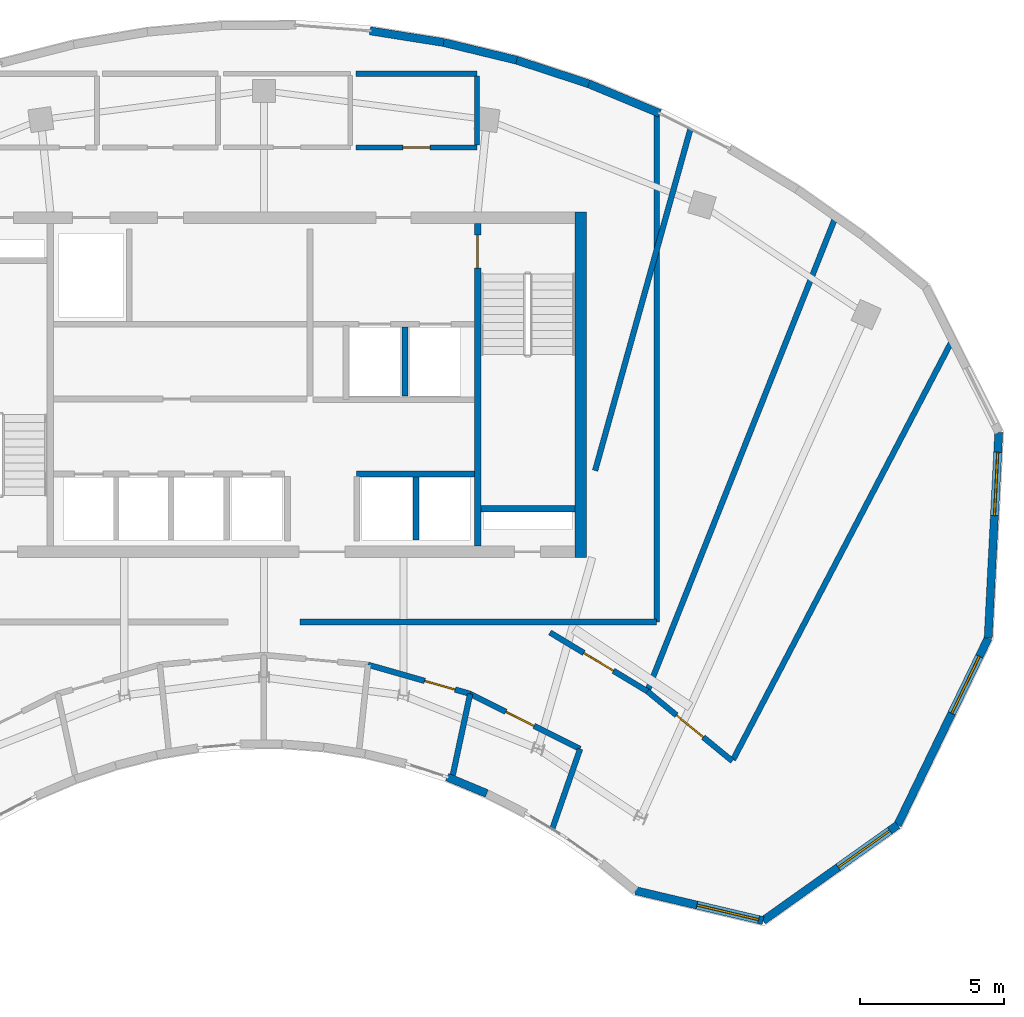
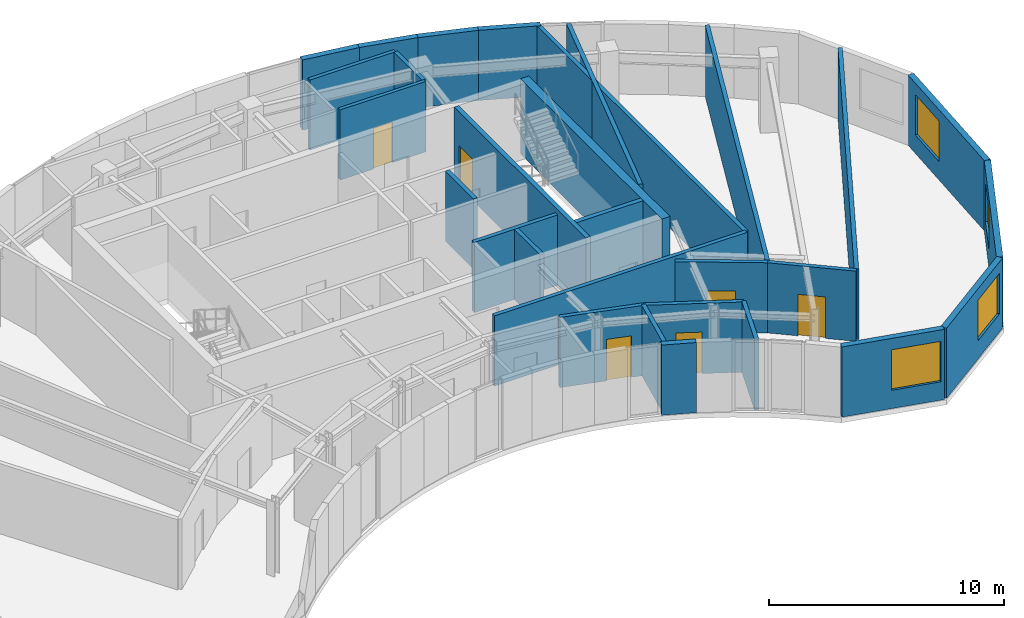
# One storey, part 7 of 9: 29 walls, 6 doors, 4 windows, 10 openings.
"""IFC4 building model written with IfcOpenShell, lengths in metres."""

from ifc_helpers import new_model, si_unit, direction, frame, frame_2d, origin, place, context, subcontext, project, spatial, rectangle, extrude, source, transform, mapped, material, layer, layer_set, type_object, type_shapes, element, fill, save


model = new_model("IFC4")

# Units and contexts
model_context = context("Model", 3, precision=1e-05, world=origin(), true_north=direction((0.0, 1.0)))
body_context = subcontext(model_context, "Body", "Model", "MODEL_VIEW")
ifc_project = project(units=[si_unit("LENGTHUNIT", "METRE"), si_unit("AREAUNIT", "SQUARE_METRE"), si_unit("VOLUMEUNIT", "CUBIC_METRE"), si_unit("PLANEANGLEUNIT", "RADIAN"), si_unit("MASSUNIT", "GRAM", prefix="KILO")], contexts=[model_context])

# Site, building, storey
site_placement = place(None, origin())
site = spatial("IfcSite", under=ifc_project, at=site_placement, CompositionType="ELEMENT")
building_placement = place(site_placement, origin())
building = spatial("IfcBuilding", under=site, at=building_placement, Name="Breltana Convention Tower", CompositionType="ELEMENT")
storey_placement = place(building_placement, frame((0.0, 0.0, 287.39990234375)))
storey = spatial("IfcBuildingStorey", under=building, at=storey_placement, Name="L70", CompositionType="ELEMENT", Elevation=287.39990234375)

# Walls
ifc_material_1 = material(Name="Concrete C50/60", Category="concrete")
ifc_layer_1 = layer(ifc_material_1, 0.39990234375, Name="Concrete C50/60")
ifc_layer_set_1 = layer_set([ifc_layer_1], Name="Concrete C50/60")
wall_type_1 = type_object("IfcWallType", Name="SW-CORE-400", PredefinedType="SHEAR", material=ifc_layer_set_1)
shared_shape_1 = source(origin(), body_context, "Body", "SweptSolid", [
    extrude(rectangle(XDim=3.27001953125, YDim=0.219970703125, at=frame_2d((1.635009765625, 0.0))), origin(), (0.0, 0.0, 1.0), 3.900146484375),
])
wall_1_placement = place(storey_placement, frame((55.530029296875, 61.889892578125, 0.0), z_axis=(0.0, 0.0, 1.0), x_axis=(1.0, 0.0, 0.0)))
element("IfcWall", 1, at=wall_1_placement, inside=storey, type_object=wall_type_1, Name="L70 ST-2 Stairwell South Bearing Wall", PredefinedType="SHEAR", context=body_context, shape_type="MappedRepresentation", body=[
    mapped(shared_shape_1, transform((0.0, 0.0, 0.0), scale=1.0)),
])
shared_shape_2 = source(origin(), body_context, "Body", "SweptSolid", [
    extrude(rectangle(XDim=12.0, YDim=0.39990234375, at=frame_2d((6.0, 0.0))), origin(), (0.0, 0.0, 1.0), 3.900146484375),
])
wall_2_placement = place(storey_placement, frame((59.0, 60.199951171875, 0.0), z_axis=(0.0, 0.0, 1.0), x_axis=(0.0, 1.0, 0.0)))
element("IfcWall", 2, at=wall_2_placement, inside=storey, type_object=wall_type_1, Name="L70 East Core Shear Wall", PredefinedType="SHEAR", context=body_context, shape_type="MappedRepresentation", body=[
    mapped(shared_shape_2, transform((0.0, 0.0, 0.0), scale=1.0)),
])

# Wall, opening, door
shared_shape_3 = source(origin(), body_context, "Body", "SweptSolid", [
    extrude(rectangle(XDim=11.199951171875, YDim=0.219970703125, at=frame_2d((5.60009765625, 0.0))), origin(), (0.0, 0.0, 1.0), 3.900146484375),
])
wall_3_placement = place(storey_placement, frame((55.419921875, 60.60009765625, 0.0), z_axis=(0.0, 0.0, 1.0), x_axis=(0.0, 1.0, 0.0)))
wall_3 = element("IfcWall", 3, at=wall_3_placement, inside=storey, type_object=wall_type_1, Name="L70 Core East Stair Spine Wall", PredefinedType="SHEAR", context=body_context, shape_type="MappedRepresentation", body=[
    mapped(shared_shape_3, transform((0.0, 0.0, 0.0), scale=1.0)),
])
opening_1_placement = place(wall_3_placement, frame((9.64501953125, 0.0, 0.0)))
opening_1 = element("IfcOpeningElement", 4, at=opening_1_placement, cuts=wall_3, Name="Opening D-11", PredefinedType="OPENING", context=body_context, shape_type="SweptSolid", body=[
    extrude(rectangle(XDim=1.14990234375, YDim=2.14990234375, at=frame_2d((0.574951171875, 1.074951171875))), frame((0.0, 0.1201171875, 0.0), z_axis=(0.0, -1.0, 0.0), x_axis=(1.0, 0.0, 0.0)), (0.0, 0.0, 1.0), 0.239990234375),
])
ifc_material_2 = material(Name="Steel Stair Exit Door", Category="steel")
door_type_1 = type_object("IfcDoorType", Name="DR-FD120-1150", OperationType="NOTDEFINED", PredefinedType="DOOR", material=ifc_material_2)
shared_shape_4 = source(origin(), body_context, "Body", "SweptSolid", [
    extrude(rectangle(XDim=1.14990234375, YDim=2.14990234375, at=frame_2d((0.574951171875, 1.074951171875))), frame((0.0, 0.02490234375, 0.0), z_axis=(0.0, -1.0, 0.0), x_axis=(1.0, 0.0, 0.0)), (0.0, 0.0, 1.0), 0.050048828125),
])
type_shapes(door_type_1, [shared_shape_4])
door_1_placement = place(opening_1_placement, origin())
door_1 = element("IfcDoor", 5, at=door_1_placement, inside=storey, type_object=door_type_1, Name="L70 interior door D-L70-ST2", OperationType="SINGLE_SWING_LEFT", OverallHeight=2.14990234375, OverallWidth=1.14990234375, PredefinedType="DOOR", context=body_context, shape_type="MappedRepresentation", body=[
    mapped(shared_shape_4, transform((0.0, 0.0, 0.0), scale=1.0)),
])
fill(opening_1, door_1)

# Wall, opening, window
ifc_material_3 = material(Name="Limestone Buff Insulated Wall", Category="masonry")
ifc_layer_2 = layer(ifc_material_3, 0.280029296875, Name="Limestone Buff Insulated Wall")
ifc_layer_set_2 = layer_set([ifc_layer_2], Name="Limestone Buff Insulated Wall")
wall_type_2 = type_object("IfcWallType", Name="WL-EXT-NOSE-280", PredefinedType="SOLIDWALL", material=ifc_layer_set_2)
shared_shape_5 = source(origin(), body_context, "Body", "SweptSolid", [
    extrude(rectangle(XDim=7.151123046875, YDim=0.280029296875, at=frame_2d((3.57568359375, 0.0))), origin(), (0.0, 0.0, 1.0), 3.64013671875),
])
wall_4_placement = place(storey_placement, frame((73.516357421875, 64.540283203125, 0.0), z_axis=(0.0, 0.0, 1.0), x_axis=(-0.051449614265, -0.998675591567, 0.0)))
wall_4 = element("IfcWall", 6, at=wall_4_placement, inside=storey, type_object=wall_type_2, Name="L70 curved limestone nose wall E2", PredefinedType="SOLIDWALL", context=body_context, shape_type="MappedRepresentation", body=[
    mapped(shared_shape_5, transform((0.0, 0.0, 0.0), scale=1.0)),
])
opening_2_placement = place(wall_4_placement, frame((0.687744140625, 0.0, 0.949951171875)))
opening_2 = element("IfcOpeningElement", 7, at=opening_2_placement, cuts=wall_4, Name="Opening W-03", PredefinedType="OPENING", context=body_context, shape_type="SweptSolid", body=[
    extrude(rectangle(XDim=2.199951171875, YDim=2.10009765625, at=frame_2d((1.10009765625, 1.050048828125))), frame((0.0, 0.14990234375, 0.0), z_axis=(0.0, -1.0, 0.0), x_axis=(1.0, 0.0, 0.0)), (0.0, 0.0, 1.0), 0.300048828125),
])
ifc_material_4 = material(Name="Glass Low-E Insulated Window", Category="glass")
window_type = type_object("IfcWindowType", Name="WN-NOSE-2200X2100", PartitioningType="TRIPLE_PANEL_VERTICAL", PredefinedType="WINDOW", material=ifc_material_4)
shared_shape_6 = source(origin(), body_context, "Body", "SweptSolid", [
    extrude(rectangle(XDim=2.199951171875, YDim=2.10009765625, at=frame_2d((1.10009765625, 1.050048828125))), frame((0.0, 0.030029296875, 0.0), z_axis=(0.0, -1.0, 0.0), x_axis=(1.0, 0.0, 0.0)), (0.0, 0.0, 1.0), 0.06005859375),
])
type_shapes(window_type, [shared_shape_6])
window_1_placement = place(opening_2_placement, origin())
window_1 = element("IfcWindow", 8, at=window_1_placement, inside=storey, type_object=window_type, Name="L70 nose window E2", OverallHeight=2.10009765625, OverallWidth=2.199951171875, PartitioningType="TRIPLE_PANEL_VERTICAL", PredefinedType="WINDOW", context=body_context, shape_type="MappedRepresentation", body=[
    mapped(shared_shape_6, transform((0.0, 0.0, 0.0), scale=1.0)),
])
fill(opening_2, window_1)

shared_shape_7 = source(origin(), body_context, "Body", "SweptSolid", [
    extrude(rectangle(XDim=7.21142578125, YDim=0.280029296875, at=frame_2d((3.605712890625, 0.0))), origin(), (0.0, 0.0, 1.0), 3.64013671875),
])
wall_5_placement = place(storey_placement, frame((73.1484375, 57.398681640625, 0.0), z_axis=(0.0, 0.0, 1.0), x_axis=(-0.436088263006, -0.899903898685, 0.0)))
wall_5 = element("IfcWall", 9, at=wall_5_placement, inside=storey, type_object=wall_type_2, Name="L70 curved limestone nose wall E3", PredefinedType="SOLIDWALL", context=body_context, shape_type="MappedRepresentation", body=[
    mapped(shared_shape_7, transform((0.0, 0.0, 0.0), scale=1.0)),
])
opening_3_placement = place(wall_5_placement, frame((0.702880859375, 0.0, 0.949951171875)))
opening_3 = element("IfcOpeningElement", 10, at=opening_3_placement, cuts=wall_5, Name="Opening W-03", PredefinedType="OPENING", context=body_context, shape_type="SweptSolid", body=[
    extrude(rectangle(XDim=2.199951171875, YDim=2.10009765625, at=frame_2d((1.10009765625, 1.050048828125))), frame((0.0, 0.14990234375, 0.0), z_axis=(0.0, -1.0, 0.0), x_axis=(1.0, 0.0, 0.0)), (0.0, 0.0, 1.0), 0.300048828125),
])
window_2_placement = place(opening_3_placement, origin())
window_2 = element("IfcWindow", 11, at=window_2_placement, inside=storey, type_object=window_type, Name="L70 nose window E3", OverallHeight=2.10009765625, OverallWidth=2.199951171875, PartitioningType="TRIPLE_PANEL_VERTICAL", PredefinedType="WINDOW", context=body_context, shape_type="MappedRepresentation", body=[
    mapped(shared_shape_6, transform((0.0, 0.0, 0.0), scale=1.0)),
])
fill(opening_3, window_2)

shared_shape_8 = source(origin(), body_context, "Body", "SweptSolid", [
    extrude(rectangle(XDim=5.730712890625, YDim=0.280029296875, at=frame_2d((2.865234375, 0.0))), origin(), (0.0, 0.0, 1.0), 3.64013671875),
])
wall_6_placement = place(storey_placement, frame((70.003662109375, 50.9091796875, 0.0), z_axis=(0.0, 0.0, 1.0), x_axis=(-0.815021045908, -0.579431354629, 0.0)))
wall_6 = element("IfcWall", 12, at=wall_6_placement, inside=storey, type_object=wall_type_2, Name="L70 curved limestone nose wall E4", PredefinedType="SOLIDWALL", context=body_context, shape_type="MappedRepresentation", body=[
    mapped(shared_shape_8, transform((0.0, 0.0, 0.0), scale=1.0)),
])
opening_4_placement = place(wall_6_placement, frame((0.332763671875, 0.0, 0.949951171875)))
opening_4 = element("IfcOpeningElement", 13, at=opening_4_placement, cuts=wall_6, Name="Opening W-03", PredefinedType="OPENING", context=body_context, shape_type="SweptSolid", body=[
    extrude(rectangle(XDim=2.199951171875, YDim=2.10009765625, at=frame_2d((1.10009765625, 1.050048828125))), frame((0.0, 0.14990234375, 0.0), z_axis=(0.0, -1.0, 0.0), x_axis=(1.0, 0.0, 0.0)), (0.0, 0.0, 1.0), 0.300048828125),
])
window_3_placement = place(opening_4_placement, origin())
window_3 = element("IfcWindow", 14, at=window_3_placement, inside=storey, type_object=window_type, Name="L70 nose window E4", OverallHeight=2.10009765625, OverallWidth=2.199951171875, PartitioningType="TRIPLE_PANEL_VERTICAL", PredefinedType="WINDOW", context=body_context, shape_type="MappedRepresentation", body=[
    mapped(shared_shape_6, transform((0.0, 0.0, 0.0), scale=1.0)),
])
fill(opening_4, window_3)

shared_shape_9 = source(origin(), body_context, "Body", "SweptSolid", [
    extrude(rectangle(XDim=4.546630859375, YDim=0.280029296875, at=frame_2d((2.2734375, 0.0))), origin(), (0.0, 0.0, 1.0), 3.64013671875),
])
wall_7_placement = place(storey_placement, frame((65.3330078125, 47.588623046875, 0.0), z_axis=(0.0, 0.0, 1.0), x_axis=(-0.973332593516, 0.229398479505, 0.0)))
wall_7 = element("IfcWall", 15, at=wall_7_placement, inside=storey, type_object=wall_type_2, Name="L70 curved limestone nose wall E5", PredefinedType="SOLIDWALL", context=body_context, shape_type="MappedRepresentation", body=[
    mapped(shared_shape_9, transform((0.0, 0.0, 0.0), scale=1.0)),
])
opening_5_placement = place(wall_7_placement, frame((0.159912109375, 0.0, 0.949951171875)))
opening_5 = element("IfcOpeningElement", 16, at=opening_5_placement, cuts=wall_7, Name="Opening W-03", PredefinedType="OPENING", context=body_context, shape_type="SweptSolid", body=[
    extrude(rectangle(XDim=2.199951171875, YDim=2.10009765625, at=frame_2d((1.10009765625, 1.050048828125))), frame((0.0, 0.14990234375, 0.0), z_axis=(0.0, -1.0, 0.0), x_axis=(1.0, 0.0, 0.0)), (0.0, 0.0, 1.0), 0.300048828125),
])
window_4_placement = place(opening_5_placement, origin())
window_4 = element("IfcWindow", 17, at=window_4_placement, inside=storey, type_object=window_type, Name="L70 nose window E5", OverallHeight=2.10009765625, OverallWidth=2.199951171875, PartitioningType="TRIPLE_PANEL_VERTICAL", PredefinedType="WINDOW", context=body_context, shape_type="MappedRepresentation", body=[
    mapped(shared_shape_6, transform((0.0, 0.0, 0.0), scale=1.0)),
])
fill(opening_5, window_4)

# Walls
shared_shape_10 = source(origin(), body_context, "Body", "SweptSolid", [
    extrude(rectangle(XDim=1.48779296875, YDim=0.280029296875, at=frame_2d((0.743896484375, 0.0))), origin(), (0.0, 0.0, 1.0), 3.64013671875),
])
wall_8_placement = place(storey_placement, frame((55.736328125, 52.00390625, 0.0), z_axis=(0.0, 0.0, 1.0), x_axis=(-0.923261314935, 0.384172545017, 0.0)))
element("IfcWall", 18, at=wall_8_placement, inside=storey, type_object=wall_type_2, Name="L70 curved limestone nose wall E8", PredefinedType="SOLIDWALL", context=body_context, shape_type="MappedRepresentation", body=[
    mapped(shared_shape_10, transform((0.0, 0.0, 0.0), scale=1.0)),
])
shared_shape_11 = source(origin(), body_context, "Body", "SweptSolid", [
    extrude(rectangle(XDim=2.592529296875, YDim=0.280029296875, at=frame_2d((1.29638671875, 0.0))), origin(), (0.0, 0.0, 1.0), 3.64013671875),
])
wall_9_placement = place(storey_placement, frame((51.6787109375, 78.487548828125, 0.0), z_axis=(0.0, 0.0, 1.0), x_axis=(0.987661204406, -0.156605700126, 0.0)))
element("IfcWall", 19, at=wall_9_placement, inside=storey, type_object=wall_type_2, Name="L70 curved limestone nose wall E28", PredefinedType="SOLIDWALL", context=body_context, shape_type="MappedRepresentation", body=[
    mapped(shared_shape_11, transform((0.0, 0.0, 0.0), scale=1.0)),
])
shared_shape_12 = source(origin(), body_context, "Body", "SweptSolid", [
    extrude(rectangle(XDim=2.63623046875, YDim=0.280029296875, at=frame_2d((1.318115234375, 0.0))), origin(), (0.0, 0.0, 1.0), 3.64013671875),
])
wall_10_placement = place(storey_placement, frame((56.776611328125, 77.466796875, 0.0), z_axis=(0.0, 0.0, 1.0), x_axis=(0.950200321617, -0.311639774097, 0.0)))
element("IfcWall", 20, at=wall_10_placement, inside=storey, type_object=wall_type_2, Name="L70 curved limestone nose wall E30", PredefinedType="SOLIDWALL", context=body_context, shape_type="MappedRepresentation", body=[
    mapped(shared_shape_12, transform((0.0, 0.0, 0.0), scale=1.0)),
])
shared_shape_13 = source(origin(), body_context, "Body", "SweptSolid", [
    extrude(rectangle(XDim=2.668212890625, YDim=0.280029296875, at=frame_2d((1.333984375, 0.0))), origin(), (0.0, 0.0, 1.0), 3.64013671875),
])
wall_11_placement = place(storey_placement, frame((59.281494140625, 76.645263671875, 0.0), z_axis=(0.0, 0.0, 1.0), x_axis=(0.923290633029, -0.384102078828, 0.0)))
element("IfcWall", 21, at=wall_11_placement, inside=storey, type_object=wall_type_2, Name="L70 curved limestone nose wall E31", PredefinedType="SOLIDWALL", context=body_context, shape_type="MappedRepresentation", body=[
    mapped(shared_shape_13, transform((0.0, 0.0, 0.0), scale=1.0)),
])
shared_shape_14 = source(origin(), body_context, "Body", "SweptSolid", [
    extrude(rectangle(XDim=2.61083984375, YDim=0.280029296875, at=frame_2d((1.305419921875, 0.0))), origin(), (0.0, 0.0, 1.0), 3.64013671875),
])
wall_12_placement = place(storey_placement, frame((54.2392578125, 78.08154296875, 0.0), z_axis=(0.0, 0.0, 1.0), x_axis=(0.97188253817, -0.235466201396, 0.0)))
element("IfcWall", 22, at=wall_12_placement, inside=storey, type_object=wall_type_2, Name="L70 curved limestone nose wall E29", PredefinedType="SOLIDWALL", context=body_context, shape_type="MappedRepresentation", body=[
    mapped(shared_shape_14, transform((0.0, 0.0, 0.0), scale=1.0)),
])
ifc_material_5 = material(Name="Autoclaved Aerated Concrete Block", Category="concrete")
ifc_layer_3 = layer(ifc_material_5, 0.199951171875, Name="Autoclaved Aerated Concrete Block")
ifc_layer_set_3 = layer_set([ifc_layer_3], Name="Autoclaved Aerated Concrete Block")
wall_type_3 = type_object("IfcWallType", Name="WL-SHAFT-200", PredefinedType="SOLIDWALL", material=ifc_layer_set_3)
shared_shape_15 = source(origin(), body_context, "Body", "SweptSolid", [
    extrude(rectangle(XDim=2.39990234375, YDim=0.199951171875, at=frame_2d((1.199951171875, 0.0))), origin(), (0.0, 0.0, 1.0), 3.64013671875),
])
wall_13_placement = place(storey_placement, frame((52.89990234375, 65.800048828125, 0.0), z_axis=(0.0, 0.0, 1.0), x_axis=(0.0, 1.0, 0.0)))
element("IfcWall", 23, at=wall_13_placement, inside=storey, type_object=wall_type_3, Name="L70 interior partition W-L70-FL-DIV", PredefinedType="SOLIDWALL", context=body_context, shape_type="MappedRepresentation", body=[
    mapped(shared_shape_15, transform((0.0, 0.0, 0.0), scale=1.0)),
])
shared_shape_16 = source(origin(), body_context, "Body", "SweptSolid", [
    extrude(rectangle(XDim=4.10009765625, YDim=0.199951171875, at=frame_2d((2.050048828125, 0.0))), origin(), (0.0, 0.0, 1.0), 3.64013671875),
])
wall_14_placement = place(storey_placement, frame((51.219970703125, 63.10009765625, 0.0), z_axis=(0.0, 0.0, 1.0), x_axis=(1.0, 0.0, 0.0)))
element("IfcWall", 24, at=wall_14_placement, inside=storey, type_object=wall_type_3, Name="L70 interior partition W-L70-SH-X-FRONT", PredefinedType="SOLIDWALL", context=body_context, shape_type="MappedRepresentation", body=[
    mapped(shared_shape_16, transform((0.0, 0.0, 0.0), scale=1.0)),
])
shared_shape_17 = source(origin(), body_context, "Body", "SweptSolid", [
    extrude(rectangle(XDim=2.199951171875, YDim=0.199951171875, at=frame_2d((1.10009765625, 0.0))), origin(), (0.0, 0.0, 1.0), 3.64013671875),
])
wall_15_placement = place(storey_placement, frame((53.280029296875, 60.800048828125, 0.0), z_axis=(0.0, 0.0, 1.0), x_axis=(0.0, 1.0, 0.0)))
element("IfcWall", 25, at=wall_15_placement, inside=storey, type_object=wall_type_3, Name="L70 interior partition W-L70-SH-X-DIV", PredefinedType="SOLIDWALL", context=body_context, shape_type="MappedRepresentation", body=[
    mapped(shared_shape_17, transform((0.0, 0.0, 0.0), scale=1.0)),
])
ifc_material_6 = material(Name="Cement Board Wet-Area Partition")
ifc_layer_4 = layer(ifc_material_6, 0.175048828125, Name="Cement Board Wet-Area Partition")
ifc_layer_set_4 = layer_set([ifc_layer_4], Name="Cement Board Wet-Area Partition")
wall_type_4 = type_object("IfcWallType", Name="WL-WET-175", PredefinedType="PARTITIONING", material=ifc_layer_set_4)
shared_shape_18 = source(origin(), body_context, "Body", "SweptSolid", [
    extrude(rectangle(XDim=2.402587890625, YDim=0.175048828125, at=frame_2d((1.201171875, 0.0))), origin(), (0.0, 0.0, 1.0), 3.64013671875),
])
wall_16_placement = place(storey_placement, frame((55.39990234375, 74.518798828125, 0.0), z_axis=(0.0, 0.0, 1.0), x_axis=(0.0, 1.0, 0.0)))
element("IfcWall", 26, at=wall_16_placement, inside=storey, type_object=wall_type_4, Name="L70 interior partition W-L70-WCA-E", PredefinedType="PARTITIONING", context=body_context, shape_type="MappedRepresentation", body=[
    mapped(shared_shape_18, transform((0.0, 0.0, 0.0), scale=1.0)),
])

# Wall, opening, door
shared_shape_19 = source(origin(), body_context, "Body", "SweptSolid", [
    extrude(rectangle(XDim=4.199951171875, YDim=0.175048828125, at=frame_2d((2.10009765625, 0.0))), origin(), (0.0, 0.0, 1.0), 3.64013671875),
])
wall_17_placement = place(storey_placement, frame((51.199951171875, 74.43994140625, 0.0), z_axis=(0.0, 0.0, 1.0), x_axis=(1.0, 0.0, 0.0)))
wall_17 = element("IfcWall", 27, at=wall_17_placement, inside=storey, type_object=wall_type_4, Name="L70 interior partition W-L70-WCA-S", PredefinedType="PARTITIONING", context=body_context, shape_type="MappedRepresentation", body=[
    mapped(shared_shape_19, transform((0.0, 0.0, 0.0), scale=1.0)),
])
opening_6_placement = place(wall_17_placement, frame((1.625, 0.0, 0.0)))
opening_6 = element("IfcOpeningElement", 28, at=opening_6_placement, cuts=wall_17, Name="Opening D-16", PredefinedType="OPENING", context=body_context, shape_type="SweptSolid", body=[
    extrude(rectangle(XDim=0.949951171875, YDim=2.1201171875, at=frame_2d((0.47509765625, 1.06005859375))), frame((0.0, 0.09765625, 0.0), z_axis=(0.0, -1.0, 0.0), x_axis=(1.0, 0.0, 0.0)), (0.0, 0.0, 1.0), 0.195068359375),
])
ifc_material_7 = material(Name="Timber Laminate Accessible Door", Category="wood")
door_type_2 = type_object("IfcDoorType", Name="DR-ACC-950", OperationType="NOTDEFINED", PredefinedType="DOOR", material=ifc_material_7)
shared_shape_20 = source(origin(), body_context, "Body", "SweptSolid", [
    extrude(rectangle(XDim=0.949951171875, YDim=2.1201171875, at=frame_2d((0.47509765625, 1.06005859375))), frame((0.0, 0.02490234375, 0.0), z_axis=(0.0, -1.0, 0.0), x_axis=(1.0, 0.0, 0.0)), (0.0, 0.0, 1.0), 0.050048828125),
])
type_shapes(door_type_2, [shared_shape_20])
door_2_placement = place(opening_6_placement, origin())
door_2 = element("IfcDoor", 29, at=door_2_placement, inside=storey, type_object=door_type_2, Name="L70 interior door D-L70-WCA", OperationType="SINGLE_SWING_LEFT", OverallHeight=2.1201171875, OverallWidth=0.949951171875, PredefinedType="DOOR", context=body_context, shape_type="MappedRepresentation", body=[
    mapped(shared_shape_20, transform((0.0, 0.0, 0.0), scale=1.0)),
])
fill(opening_6, door_2)

# Walls
ifc_material_8 = material(Name="Moisture-Resistant Gypsum Chase Wall")
ifc_layer_5 = layer(ifc_material_8, 0.179931640625, Name="Moisture-Resistant Gypsum Chase Wall")
ifc_layer_set_5 = layer_set([ifc_layer_5], Name="Moisture-Resistant Gypsum Chase Wall")
wall_type_5 = type_object("IfcWallType", Name="WL-PLUMB-180", PredefinedType="PLUMBINGWALL", material=ifc_layer_set_5)
shared_shape_21 = source(origin(), body_context, "Body", "SweptSolid", [
    extrude(rectangle(XDim=4.199951171875, YDim=0.179931640625, at=frame_2d((2.10009765625, 0.0))), origin(), (0.0, 0.0, 1.0), 3.64013671875),
])
wall_18_placement = place(storey_placement, frame((51.199951171875, 77.0, 0.0), z_axis=(0.0, 0.0, 1.0), x_axis=(1.0, 0.0, 0.0)))
element("IfcWall", 30, at=wall_18_placement, inside=storey, type_object=wall_type_5, Name="L70 interior partition W-L70-WCA-N", PredefinedType="PLUMBINGWALL", context=body_context, shape_type="MappedRepresentation", body=[
    mapped(shared_shape_21, transform((0.0, 0.0, 0.0), scale=1.0)),
])
ifc_material_9 = material(Name="Gypsum Acoustic Hotel Wall")
ifc_layer_6 = layer(ifc_material_9, 0.195068359375, Name="Gypsum Acoustic Hotel Wall")
ifc_layer_set_6 = layer_set([ifc_layer_6], Name="Gypsum Acoustic Hotel Wall")
wall_type_6 = type_object("IfcWallType", Name="WL-HOTEL-200", PredefinedType="PARTITIONING", material=ifc_layer_set_6)
shared_shape_22 = source(origin(), body_context, "Body", "SweptSolid", [
    extrude(rectangle(XDim=12.389892578125, YDim=0.195068359375, at=frame_2d((6.19482421875, 0.0))), origin(), (0.0, 0.0, 1.0), 3.64013671875),
])
wall_19_placement = place(storey_placement, frame((49.25, 57.9599609375, 0.0), z_axis=(0.0, 0.0, 1.0), x_axis=(1.0, 0.0, 0.0)))
element("IfcWall", 31, at=wall_19_placement, inside=storey, type_object=wall_type_6, Name="L70 interior partition W-L70-Z45-CSE", PredefinedType="PARTITIONING", context=body_context, shape_type="MappedRepresentation", body=[
    mapped(shared_shape_22, transform((0.0, 0.0, 0.0), scale=1.0)),
])

# Wall, opening, door
shared_shape_23 = source(origin(), body_context, "Body", "SweptSolid", [
    extrude(rectangle(XDim=4.270751953125, YDim=0.195068359375, at=frame_2d((2.13525390625, 0.0))), origin(), (0.0, 0.0, 1.0), 3.64013671875),
])
wall_20_placement = place(storey_placement, frame((55.1611328125, 55.464599609375, 0.0), z_axis=(0.0, 0.0, 1.0), x_axis=(0.894061035522, -0.447945158207, 0.0)))
wall_20 = element("IfcWall", 32, at=wall_20_placement, inside=storey, type_object=wall_type_6, Name="L70 interior partition W-L70-ES6-COR", PredefinedType="PARTITIONING", context=body_context, shape_type="MappedRepresentation", body=[
    mapped(shared_shape_23, transform((0.0, 0.0, 0.0), scale=1.0)),
])
opening_7_placement = place(wall_20_placement, frame((1.385498046875, 0.0, 0.0)))
opening_7 = element("IfcOpeningElement", 33, at=opening_7_placement, cuts=wall_20, Name="Opening D-12", PredefinedType="OPENING", context=body_context, shape_type="SweptSolid", body=[
    extrude(rectangle(XDim=1.10009765625, YDim=2.14990234375, at=frame_2d((0.550048828125, 1.074951171875))), frame((0.0, 0.107421875, 0.0), z_axis=(0.0, -1.0, 0.0), x_axis=(1.0, 0.0, 0.0)), (0.0, 0.0, 1.0), 0.215087890625),
])
ifc_material_10 = material(Name="Timber Oak Acoustic Door", Category="wood")
door_type_3 = type_object("IfcDoorType", Name="DR-INT-1100", OperationType="NOTDEFINED", PredefinedType="DOOR", material=ifc_material_10)
shared_shape_24 = source(origin(), body_context, "Body", "SweptSolid", [
    extrude(rectangle(XDim=1.10009765625, YDim=2.14990234375, at=frame_2d((0.550048828125, 1.074951171875))), frame((0.0, 0.02490234375, 0.0), z_axis=(0.0, -1.0, 0.0), x_axis=(1.0, 0.0, 0.0)), (0.0, 0.0, 1.0), 0.050048828125),
])
type_shapes(door_type_3, [shared_shape_24])
door_3_placement = place(opening_7_placement, origin())
door_3 = element("IfcDoor", 34, at=door_3_placement, inside=storey, type_object=door_type_3, Name="L70 interior door D-L70-ES6", OperationType="SINGLE_SWING_LEFT", OverallHeight=2.14990234375, OverallWidth=1.10009765625, PredefinedType="DOOR", context=body_context, shape_type="MappedRepresentation", body=[
    mapped(shared_shape_24, transform((0.0, 0.0, 0.0), scale=1.0)),
])
fill(opening_7, door_3)

shared_shape_25 = source(origin(), body_context, "Body", "SweptSolid", [
    extrude(rectangle(XDim=3.6865234375, YDim=0.195068359375, at=frame_2d((1.84326171875, 0.0))), origin(), (0.0, 0.0, 1.0), 3.64013671875),
])
wall_21_placement = place(storey_placement, frame((51.61572265625, 56.474365234375, 0.0), z_axis=(0.0, 0.0, 1.0), x_axis=(0.961753532248, -0.27391630694, 0.0)))
wall_21 = element("IfcWall", 35, at=wall_21_placement, inside=storey, type_object=wall_type_6, Name="L70 interior partition W-L70-ES5-COR", PredefinedType="PARTITIONING", context=body_context, shape_type="MappedRepresentation", body=[
    mapped(shared_shape_25, transform((0.0, 0.0, 0.0), scale=1.0)),
])
opening_8_placement = place(wall_21_placement, frame((2.043212890625, 0.0, 0.0)))
opening_8 = element("IfcOpeningElement", 36, at=opening_8_placement, cuts=wall_21, Name="Opening D-12", PredefinedType="OPENING", context=body_context, shape_type="SweptSolid", body=[
    extrude(rectangle(XDim=1.10009765625, YDim=2.14990234375, at=frame_2d((0.550048828125, 1.074951171875))), frame((0.0, 0.107421875, 0.0), z_axis=(0.0, -1.0, 0.0), x_axis=(1.0, 0.0, 0.0)), (0.0, 0.0, 1.0), 0.215087890625),
])
door_4_placement = place(opening_8_placement, origin())
door_4 = element("IfcDoor", 37, at=door_4_placement, inside=storey, type_object=door_type_3, Name="L70 interior door D-L70-ES5", OperationType="SINGLE_SWING_RIGHT", OverallHeight=2.14990234375, OverallWidth=1.10009765625, PredefinedType="DOOR", context=body_context, shape_type="MappedRepresentation", body=[
    mapped(shared_shape_24, transform((0.0, 0.0, 0.0), scale=1.0)),
])
fill(opening_8, door_4)

# Walls
shared_shape_26 = source(origin(), body_context, "Body", "SweptSolid", [
    extrude(rectangle(XDim=3.0146484375, YDim=0.195068359375, at=frame_2d((1.50732421875, 0.0))), origin(), (0.0, 0.0, 1.0), 3.64013671875),
])
wall_22_placement = place(storey_placement, frame((54.5302734375, 52.5166015625, 0.0), z_axis=(0.0, 0.0, 1.0), x_axis=(0.209258086484, 0.977860446711, 0.0)))
element("IfcWall", 38, at=wall_22_placement, inside=storey, type_object=wall_type_6, Name="L70 interior partition W-L70-ES5-RB", PredefinedType="PARTITIONING", context=body_context, shape_type="MappedRepresentation", body=[
    mapped(shared_shape_26, transform((0.0, 0.0, 0.0), scale=1.0)),
])
shared_shape_27 = source(origin(), body_context, "Body", "SweptSolid", [
    extrude(rectangle(XDim=2.94189453125, YDim=0.195068359375, at=frame_2d((1.470947265625, 0.0))), origin(), (0.0, 0.0, 1.0), 3.64013671875),
])
wall_23_placement = place(storey_placement, frame((58.0126953125, 50.77294921875, 0.0), z_axis=(0.0, 0.0, 1.0), x_axis=(0.328623620494, 0.944460965871, 0.0)))
element("IfcWall", 39, at=wall_23_placement, inside=storey, type_object=wall_type_6, Name="L70 interior partition W-L70-ES6-RB", PredefinedType="PARTITIONING", context=body_context, shape_type="MappedRepresentation", body=[
    mapped(shared_shape_27, transform((0.0, 0.0, 0.0), scale=1.0)),
])

# Wall, opening, door
shared_shape_28 = source(origin(), body_context, "Body", "SweptSolid", [
    extrude(rectangle(XDim=3.95068359375, YDim=0.195068359375, at=frame_2d((1.975341796875, 0.0))), origin(), (0.0, 0.0, 1.0), 3.64013671875),
])
wall_24_placement = place(storey_placement, frame((57.931884765625, 57.595703125, 0.0), z_axis=(0.0, 0.0, 1.0), x_axis=(0.856137696849, -0.51674775668, 0.0)))
wall_24 = element("IfcWall", 40, at=wall_24_placement, inside=storey, type_object=wall_type_6, Name="L70 interior partition W-L70-EXER1-COR", PredefinedType="PARTITIONING", context=body_context, shape_type="MappedRepresentation", body=[
    mapped(shared_shape_28, transform((0.0, 0.0, 0.0), scale=1.0)),
])
opening_9_placement = place(wall_24_placement, frame((1.37548828125, 0.0, 0.0)))
opening_9 = element("IfcOpeningElement", 41, at=opening_9_placement, cuts=wall_24, Name="Opening D-10", PredefinedType="OPENING", context=body_context, shape_type="SweptSolid", body=[
    extrude(rectangle(XDim=1.199951171875, YDim=2.14990234375, at=frame_2d((0.60009765625, 1.074951171875))), frame((0.0, 0.107421875, 0.0), z_axis=(0.0, -1.0, 0.0), x_axis=(1.0, 0.0, 0.0)), (0.0, 0.0, 1.0), 0.215087890625),
])
ifc_material_11 = material(Name="Timber Oak Veneer Fire Door", Category="wood")
door_type_4 = type_object("IfcDoorType", Name="DR-INT-1200", OperationType="NOTDEFINED", PredefinedType="DOOR", material=ifc_material_11)
shared_shape_29 = source(origin(), body_context, "Body", "SweptSolid", [
    extrude(rectangle(XDim=1.199951171875, YDim=2.14990234375, at=frame_2d((0.60009765625, 1.074951171875))), frame((0.0, 0.02490234375, 0.0), z_axis=(0.0, -1.0, 0.0), x_axis=(1.0, 0.0, 0.0)), (0.0, 0.0, 1.0), 0.050048828125),
])
type_shapes(door_type_4, [shared_shape_29])
door_5_placement = place(opening_9_placement, origin())
door_5 = element("IfcDoor", 42, at=door_5_placement, inside=storey, type_object=door_type_4, Name="L70 interior door D-L70-EXER1", OperationType="SINGLE_SWING_RIGHT", OverallHeight=2.14990234375, OverallWidth=1.199951171875, PredefinedType="DOOR", context=body_context, shape_type="MappedRepresentation", body=[
    mapped(shared_shape_29, transform((0.0, 0.0, 0.0), scale=1.0)),
])
fill(opening_9, door_5)

# Walls
shared_shape_30 = source(origin(), body_context, "Body", "SweptSolid", [
    extrude(rectangle(XDim=12.306640625, YDim=0.195068359375, at=frame_2d((6.1533203125, 0.0))), origin(), (0.0, 0.0, 1.0), 3.64013671875),
])
wall_25_placement = place(storey_placement, frame((59.5, 63.2158203125, 0.0), z_axis=(0.0, 0.0, 1.0), x_axis=(0.268768150257, 0.96320490105, 0.0)))
element("IfcWall", 43, at=wall_25_placement, inside=storey, type_object=wall_type_6, Name="L70 interior partition W-L70-EXER1-RA", PredefinedType="PARTITIONING", context=body_context, shape_type="MappedRepresentation", body=[
    mapped(shared_shape_30, transform((0.0, 0.0, 0.0), scale=1.0)),
])
shared_shape_31 = source(origin(), body_context, "Body", "SweptSolid", [
    extrude(rectangle(XDim=17.663818359375, YDim=0.195068359375, at=frame_2d((8.83203125, 0.0))), origin(), (0.0, 0.0, 1.0), 3.64013671875),
])
wall_26_placement = place(storey_placement, frame((61.3330078125, 55.6015625, 0.0), z_axis=(0.0, 0.0, 1.0), x_axis=(0.368827513738, 0.929497856431, 0.0)))
element("IfcWall", 44, at=wall_26_placement, inside=storey, type_object=wall_type_6, Name="L70 interior partition W-L70-EXER1-RB", PredefinedType="PARTITIONING", context=body_context, shape_type="MappedRepresentation", body=[
    mapped(shared_shape_31, transform((0.0, 0.0, 0.0), scale=1.0)),
])

# Wall, opening, door
shared_shape_32 = source(origin(), body_context, "Body", "SweptSolid", [
    extrude(rectangle(XDim=3.8203125, YDim=0.195068359375, at=frame_2d((1.91015625, 0.0))), origin(), (0.0, 0.0, 1.0), 3.64013671875),
])
wall_27_placement = place(storey_placement, frame((61.314208984375, 55.55419921875, 0.0), z_axis=(0.0, 0.0, 1.0), x_axis=(0.772805728445, -0.63464266015, 0.0)))
wall_27 = element("IfcWall", 45, at=wall_27_placement, inside=storey, type_object=wall_type_6, Name="L70 interior partition W-L70-EXER2-COR", PredefinedType="PARTITIONING", context=body_context, shape_type="MappedRepresentation", body=[
    mapped(shared_shape_32, transform((0.0, 0.0, 0.0), scale=1.0)),
])
opening_10_placement = place(wall_27_placement, frame((1.31005859375, 0.0, 0.0)))
opening_10 = element("IfcOpeningElement", 46, at=opening_10_placement, cuts=wall_27, Name="Opening D-10", PredefinedType="OPENING", context=body_context, shape_type="SweptSolid", body=[
    extrude(rectangle(XDim=1.199951171875, YDim=2.14990234375, at=frame_2d((0.60009765625, 1.074951171875))), frame((0.0, 0.107421875, 0.0), z_axis=(0.0, -1.0, 0.0), x_axis=(1.0, 0.0, 0.0)), (0.0, 0.0, 1.0), 0.215087890625),
])
door_6_placement = place(opening_10_placement, origin())
door_6 = element("IfcDoor", 47, at=door_6_placement, inside=storey, type_object=door_type_4, Name="L70 interior door D-L70-EXER2", OperationType="SINGLE_SWING_LEFT", OverallHeight=2.14990234375, OverallWidth=1.199951171875, PredefinedType="DOOR", context=body_context, shape_type="MappedRepresentation", body=[
    mapped(shared_shape_29, transform((0.0, 0.0, 0.0), scale=1.0)),
])
fill(opening_10, door_6)

# Walls
shared_shape_33 = source(origin(), body_context, "Body", "SweptSolid", [
    extrude(rectangle(XDim=16.4296875, YDim=0.195068359375, at=frame_2d((8.21484375, 0.0))), origin(), (0.0, 0.0, 1.0), 3.64013671875),
])
wall_28_placement = place(storey_placement, frame((64.28955078125, 53.173583984375, 0.0), z_axis=(0.0, 0.0, 1.0), x_axis=(0.463119459371, 0.886295868405, 0.0)))
element("IfcWall", 48, at=wall_28_placement, inside=storey, type_object=wall_type_6, Name="L70 interior partition W-L70-EXER2-RB", PredefinedType="PARTITIONING", context=body_context, shape_type="MappedRepresentation", body=[
    mapped(shared_shape_33, transform((0.0, 0.0, 0.0), scale=1.0)),
])
shared_shape_34 = source(origin(), body_context, "Body", "SweptSolid", [
    extrude(rectangle(XDim=17.693359375, YDim=0.195068359375, at=frame_2d((8.8466796875, 0.0))), origin(), (0.0, 0.0, 1.0), 3.64013671875),
])
wall_29_placement = place(storey_placement, frame((61.639892578125, 57.9599609375, 0.0), z_axis=(0.0, 0.0, 1.0), x_axis=(0.0, 1.0, 0.0)))
element("IfcWall", 49, at=wall_29_placement, inside=storey, type_object=wall_type_6, Name="L70 interior partition W-L70-EXER-CL", PredefinedType="PARTITIONING", context=body_context, shape_type="MappedRepresentation", body=[
    mapped(shared_shape_34, transform((0.0, 0.0, 0.0), scale=1.0)),
])

save(model, "model.ifc")
